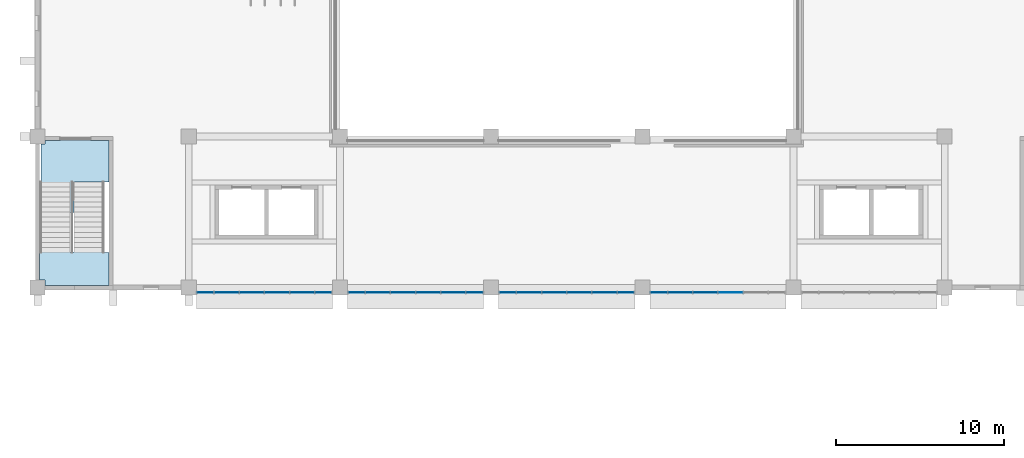
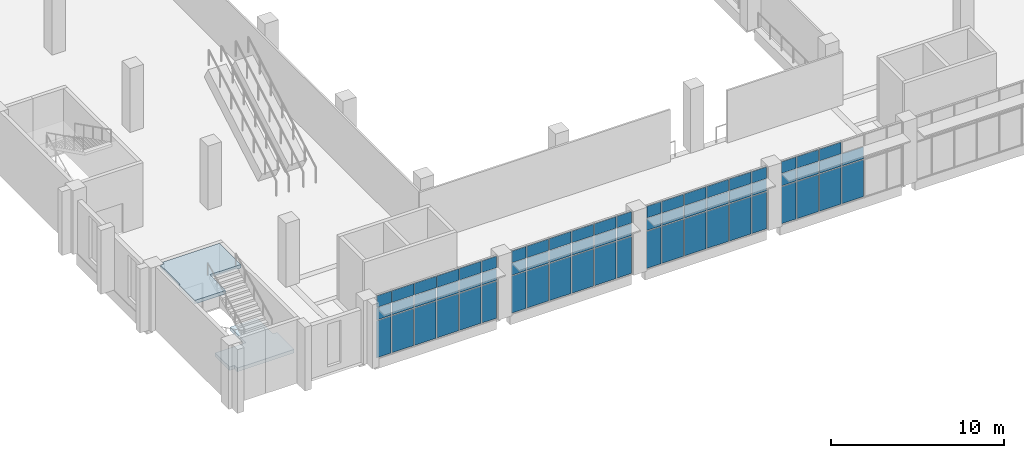
# One storey, part 39 of 88: 65 plates, 2 slabs, 5 elements without a shape of their own.
"""IFC4 building model written with IfcOpenShell, lengths in metres."""

from ifc_helpers import new_model, si_unit, direction, frame, origin, origin_2d, place, context, subcontext, project, spatial, polyline, rectangle, outline, extrude, material, layer, layer_set, type_object, element, aggregate, save


model = new_model("IFC4")

# Units and contexts
model_context = context("Model", 3, precision=1e-05, world=origin(), true_north=direction((0.0, 1.0)))
body_context = subcontext(model_context, "Body", "Model", "MODEL_VIEW")
ifc_project = project(units=[si_unit("LENGTHUNIT", "METRE"), si_unit("AREAUNIT", "SQUARE_METRE"), si_unit("VOLUMEUNIT", "CUBIC_METRE"), si_unit("PLANEANGLEUNIT", "RADIAN"), si_unit("MASSUNIT", "GRAM", prefix="KILO")], contexts=[model_context])

# Site, building, storey
site_placement = place(None, origin())
site = spatial("IfcSite", under=ifc_project, at=site_placement, CompositionType="ELEMENT")
building_placement = place(site_placement, origin())
building = spatial("IfcBuilding", under=site, at=building_placement, Name="Guidao Yard Department Store", CompositionType="ELEMENT")
storey_placement = place(building_placement, frame((0.0, 0.0, 6.0)))
storey = spatial("IfcBuildingStorey", under=building, at=storey_placement, Name="L01", CompositionType="ELEMENT", Elevation=6.0)

# Curtain wall, plates
ifc_material_1 = material(Name="Aluminium and glass", Category="aluminium")
ifc_layer_1 = layer(ifc_material_1, 0.159912109375)
ifc_layer_set_1 = layer_set([ifc_layer_1], Name="Hall front curtain wall CW2 1500 module")
curtain_wall_type = type_object("IfcCurtainWallType", Name="Hall front curtain wall CW2 1500 module", PredefinedType="NOTDEFINED", material=ifc_layer_set_1)
curtain_wall_1_placement = place(storey_placement, origin())
curtain_wall_1 = element("IfcCurtainWall", 1, at=curtain_wall_1_placement, inside=storey, type_object=curtain_wall_type, Name="Hall front curtain wall", PredefinedType="NOTDEFINED")
ifc_material_2 = material(Name="Aluminium 6063-T5 faced insulated spandrel", Category="aluminium")
ifc_layer_2 = layer(ifc_material_2, 0.06005859375)
ifc_layer_set_2 = layer_set([ifc_layer_2], Name="Spandrel panel SP1 insulated opaque")
plate_type_1 = type_object("IfcPlateType", Name="Spandrel panel SP1 insulated opaque", PredefinedType="CURTAIN_PANEL", material=ifc_layer_set_2)
plate_1_placement = place(storey_placement, frame((9.989990234375, 44.719970703125, 3.6298828125), z_axis=(0.0, 0.0, 1.0), x_axis=(-1.0, 0.0, 0.0)))
plate_1 = element("IfcPlate", 2, at=plate_1_placement, type_object=plate_type_1, Name="CW-HF-L01-01 panel 1.3", PredefinedType="CURTAIN_PANEL", context=body_context, shape_type="SweptSolid", body=[
    extrude(rectangle(XDim=0.9599609375, YDim=0.06005859375, at=origin_2d()), origin(), (0.0, 0.0, 1.0), 0.81005859375),
])
plate_2_placement = place(storey_placement, frame((11.25, 44.719970703125, 3.6298828125), z_axis=(0.0, 0.0, 1.0), x_axis=(-1.0, 0.0, 0.0)))
plate_2 = element("IfcPlate", 3, at=plate_2_placement, type_object=plate_type_1, Name="CW-HF-L01-01 panel 2.3", PredefinedType="CURTAIN_PANEL", context=body_context, shape_type="SweptSolid", body=[
    extrude(rectangle(XDim=1.43994140625, YDim=0.06005859375, at=origin_2d()), origin(), (0.0, 0.0, 1.0), 0.81005859375),
])
plate_3_placement = place(storey_placement, frame((12.75, 44.719970703125, 3.6298828125), z_axis=(0.0, 0.0, 1.0), x_axis=(-1.0, 0.0, 0.0)))
plate_3 = element("IfcPlate", 4, at=plate_3_placement, type_object=plate_type_1, Name="CW-HF-L01-01 panel 3.3", PredefinedType="CURTAIN_PANEL", context=body_context, shape_type="SweptSolid", body=[
    extrude(rectangle(XDim=1.43994140625, YDim=0.06005859375, at=origin_2d()), origin(), (0.0, 0.0, 1.0), 0.81005859375),
])
plate_4_placement = place(storey_placement, frame((14.25, 44.719970703125, 3.6298828125), z_axis=(0.0, 0.0, 1.0), x_axis=(-1.0, 0.0, 0.0)))
plate_4 = element("IfcPlate", 5, at=plate_4_placement, type_object=plate_type_1, Name="CW-HF-L01-01 panel 4.3", PredefinedType="CURTAIN_PANEL", context=body_context, shape_type="SweptSolid", body=[
    extrude(rectangle(XDim=1.43994140625, YDim=0.06005859375, at=origin_2d()), origin(), (0.0, 0.0, 1.0), 0.81005859375),
])
plate_5_placement = place(storey_placement, frame((15.75, 44.719970703125, 3.6298828125), z_axis=(0.0, 0.0, 1.0), x_axis=(-1.0, 0.0, 0.0)))
plate_5 = element("IfcPlate", 6, at=plate_5_placement, type_object=plate_type_1, Name="CW-HF-L01-01 panel 5.3", PredefinedType="CURTAIN_PANEL", context=body_context, shape_type="SweptSolid", body=[
    extrude(rectangle(XDim=1.43994140625, YDim=0.06005859375, at=origin_2d()), origin(), (0.0, 0.0, 1.0), 0.81005859375),
])
plate_6_placement = place(storey_placement, frame((17.010009765625, 44.719970703125, 3.6298828125), z_axis=(0.0, 0.0, 1.0), x_axis=(-1.0, 0.0, 0.0)))
plate_6 = element("IfcPlate", 7, at=plate_6_placement, type_object=plate_type_1, Name="CW-HF-L01-01 panel 6.3", PredefinedType="CURTAIN_PANEL", context=body_context, shape_type="SweptSolid", body=[
    extrude(rectangle(XDim=0.9599609375, YDim=0.06005859375, at=origin_2d()), origin(), (0.0, 0.0, 1.0), 0.81005859375),
])

curtain_wall_2_placement = place(storey_placement, origin())
curtain_wall_2 = element("IfcCurtainWall", 8, at=curtain_wall_2_placement, inside=storey, type_object=curtain_wall_type, Name="Hall front curtain wall", PredefinedType="NOTDEFINED")
plate_7_placement = place(storey_placement, frame((18.989990234375, 44.719970703125, 3.6298828125), z_axis=(0.0, 0.0, 1.0), x_axis=(-1.0, 0.0, 0.0)))
plate_7 = element("IfcPlate", 9, at=plate_7_placement, type_object=plate_type_1, Name="CW-HF-L01-02 panel 1.3", PredefinedType="CURTAIN_PANEL", context=body_context, shape_type="SweptSolid", body=[
    extrude(rectangle(XDim=0.9599609375, YDim=0.06005859375, at=origin_2d()), origin(), (0.0, 0.0, 1.0), 0.81005859375),
])
plate_8_placement = place(storey_placement, frame((20.25, 44.719970703125, 3.6298828125), z_axis=(0.0, 0.0, 1.0), x_axis=(-1.0, 0.0, 0.0)))
plate_8 = element("IfcPlate", 10, at=plate_8_placement, type_object=plate_type_1, Name="CW-HF-L01-02 panel 2.3", PredefinedType="CURTAIN_PANEL", context=body_context, shape_type="SweptSolid", body=[
    extrude(rectangle(XDim=1.43994140625, YDim=0.06005859375, at=origin_2d()), origin(), (0.0, 0.0, 1.0), 0.81005859375),
])
plate_9_placement = place(storey_placement, frame((21.75, 44.719970703125, 3.6298828125), z_axis=(0.0, 0.0, 1.0), x_axis=(-1.0, 0.0, 0.0)))
plate_9 = element("IfcPlate", 11, at=plate_9_placement, type_object=plate_type_1, Name="CW-HF-L01-02 panel 3.3", PredefinedType="CURTAIN_PANEL", context=body_context, shape_type="SweptSolid", body=[
    extrude(rectangle(XDim=1.43994140625, YDim=0.06005859375, at=origin_2d()), origin(), (0.0, 0.0, 1.0), 0.81005859375),
])
plate_10_placement = place(storey_placement, frame((23.25, 44.719970703125, 3.6298828125), z_axis=(0.0, 0.0, 1.0), x_axis=(-1.0, 0.0, 0.0)))
plate_10 = element("IfcPlate", 12, at=plate_10_placement, type_object=plate_type_1, Name="CW-HF-L01-02 panel 4.3", PredefinedType="CURTAIN_PANEL", context=body_context, shape_type="SweptSolid", body=[
    extrude(rectangle(XDim=1.43994140625, YDim=0.06005859375, at=origin_2d()), origin(), (0.0, 0.0, 1.0), 0.81005859375),
])
plate_11_placement = place(storey_placement, frame((24.75, 44.719970703125, 3.6298828125), z_axis=(0.0, 0.0, 1.0), x_axis=(-1.0, 0.0, 0.0)))
plate_11 = element("IfcPlate", 13, at=plate_11_placement, type_object=plate_type_1, Name="CW-HF-L01-02 panel 5.3", PredefinedType="CURTAIN_PANEL", context=body_context, shape_type="SweptSolid", body=[
    extrude(rectangle(XDim=1.43994140625, YDim=0.06005859375, at=origin_2d()), origin(), (0.0, 0.0, 1.0), 0.81005859375),
])
plate_12_placement = place(storey_placement, frame((26.010009765625, 44.719970703125, 3.6298828125), z_axis=(0.0, 0.0, 1.0), x_axis=(-1.0, 0.0, 0.0)))
plate_12 = element("IfcPlate", 14, at=plate_12_placement, type_object=plate_type_1, Name="CW-HF-L01-02 panel 6.3", PredefinedType="CURTAIN_PANEL", context=body_context, shape_type="SweptSolid", body=[
    extrude(rectangle(XDim=0.9599609375, YDim=0.06005859375, at=origin_2d()), origin(), (0.0, 0.0, 1.0), 0.81005859375),
])

curtain_wall_3_placement = place(storey_placement, origin())
curtain_wall_3 = element("IfcCurtainWall", 15, at=curtain_wall_3_placement, inside=storey, type_object=curtain_wall_type, Name="Hall front curtain wall", PredefinedType="NOTDEFINED")
plate_13_placement = place(storey_placement, frame((27.989990234375, 44.719970703125, 3.6298828125), z_axis=(0.0, 0.0, 1.0), x_axis=(-1.0, 0.0, 0.0)))
plate_13 = element("IfcPlate", 16, at=plate_13_placement, type_object=plate_type_1, Name="CW-HF-L01-03 panel 1.3", PredefinedType="CURTAIN_PANEL", context=body_context, shape_type="SweptSolid", body=[
    extrude(rectangle(XDim=0.9599609375, YDim=0.06005859375, at=origin_2d()), origin(), (0.0, 0.0, 1.0), 0.81005859375),
])
plate_14_placement = place(storey_placement, frame((29.25, 44.719970703125, 3.6298828125), z_axis=(0.0, 0.0, 1.0), x_axis=(-1.0, 0.0, 0.0)))
plate_14 = element("IfcPlate", 17, at=plate_14_placement, type_object=plate_type_1, Name="CW-HF-L01-03 panel 2.3", PredefinedType="CURTAIN_PANEL", context=body_context, shape_type="SweptSolid", body=[
    extrude(rectangle(XDim=1.43994140625, YDim=0.06005859375, at=origin_2d()), origin(), (0.0, 0.0, 1.0), 0.81005859375),
])
plate_15_placement = place(storey_placement, frame((30.75, 44.719970703125, 3.6298828125), z_axis=(0.0, 0.0, 1.0), x_axis=(-1.0, 0.0, 0.0)))
plate_15 = element("IfcPlate", 18, at=plate_15_placement, type_object=plate_type_1, Name="CW-HF-L01-03 panel 3.3", PredefinedType="CURTAIN_PANEL", context=body_context, shape_type="SweptSolid", body=[
    extrude(rectangle(XDim=1.43994140625, YDim=0.06005859375, at=origin_2d()), origin(), (0.0, 0.0, 1.0), 0.81005859375),
])
plate_16_placement = place(storey_placement, frame((32.25, 44.719970703125, 3.6298828125), z_axis=(0.0, 0.0, 1.0), x_axis=(-1.0, 0.0, 0.0)))
plate_16 = element("IfcPlate", 19, at=plate_16_placement, type_object=plate_type_1, Name="CW-HF-L01-03 panel 4.3", PredefinedType="CURTAIN_PANEL", context=body_context, shape_type="SweptSolid", body=[
    extrude(rectangle(XDim=1.43994140625, YDim=0.06005859375, at=origin_2d()), origin(), (0.0, 0.0, 1.0), 0.81005859375),
])
plate_17_placement = place(storey_placement, frame((33.75, 44.719970703125, 3.6298828125), z_axis=(0.0, 0.0, 1.0), x_axis=(-1.0, 0.0, 0.0)))
plate_17 = element("IfcPlate", 20, at=plate_17_placement, type_object=plate_type_1, Name="CW-HF-L01-03 panel 5.3", PredefinedType="CURTAIN_PANEL", context=body_context, shape_type="SweptSolid", body=[
    extrude(rectangle(XDim=1.43994140625, YDim=0.06005859375, at=origin_2d()), origin(), (0.0, 0.0, 1.0), 0.81005859375),
])
plate_18_placement = place(storey_placement, frame((35.010009765625, 44.719970703125, 3.6298828125), z_axis=(0.0, 0.0, 1.0), x_axis=(-1.0, 0.0, 0.0)))
plate_18 = element("IfcPlate", 21, at=plate_18_placement, type_object=plate_type_1, Name="CW-HF-L01-03 panel 6.3", PredefinedType="CURTAIN_PANEL", context=body_context, shape_type="SweptSolid", body=[
    extrude(rectangle(XDim=0.9599609375, YDim=0.06005859375, at=origin_2d()), origin(), (0.0, 0.0, 1.0), 0.81005859375),
])

curtain_wall_4_placement = place(storey_placement, origin())
curtain_wall_4 = element("IfcCurtainWall", 22, at=curtain_wall_4_placement, inside=storey, type_object=curtain_wall_type, Name="Hall front curtain wall", PredefinedType="NOTDEFINED")
plate_19_placement = place(storey_placement, frame((36.989990234375, 44.719970703125, 3.6298828125), z_axis=(0.0, 0.0, 1.0), x_axis=(-1.0, 0.0, 0.0)))
plate_19 = element("IfcPlate", 23, at=plate_19_placement, type_object=plate_type_1, Name="CW-HF-L01-04 panel 1.3", PredefinedType="CURTAIN_PANEL", context=body_context, shape_type="SweptSolid", body=[
    extrude(rectangle(XDim=0.9599609375, YDim=0.06005859375, at=origin_2d()), origin(), (0.0, 0.0, 1.0), 0.81005859375),
])
plate_20_placement = place(storey_placement, frame((38.25, 44.719970703125, 3.6298828125), z_axis=(0.0, 0.0, 1.0), x_axis=(-1.0, 0.0, 0.0)))
plate_20 = element("IfcPlate", 24, at=plate_20_placement, type_object=plate_type_1, Name="CW-HF-L01-04 panel 2.3", PredefinedType="CURTAIN_PANEL", context=body_context, shape_type="SweptSolid", body=[
    extrude(rectangle(XDim=1.43994140625, YDim=0.06005859375, at=origin_2d()), origin(), (0.0, 0.0, 1.0), 0.81005859375),
])
plate_21_placement = place(storey_placement, frame((39.75, 44.719970703125, 3.6298828125), z_axis=(0.0, 0.0, 1.0), x_axis=(-1.0, 0.0, 0.0)))
plate_21 = element("IfcPlate", 25, at=plate_21_placement, type_object=plate_type_1, Name="CW-HF-L01-04 panel 3.3", PredefinedType="CURTAIN_PANEL", context=body_context, shape_type="SweptSolid", body=[
    extrude(rectangle(XDim=1.43994140625, YDim=0.06005859375, at=origin_2d()), origin(), (0.0, 0.0, 1.0), 0.81005859375),
])

# Stair, slabs
ifc_material_3 = material(Name="Concrete C35", Category="concrete")
stair_type = type_object("IfcStairType", Name="Stair half-turn two-flight 1800 wide 4.5 m rise", PredefinedType="HALF_TURN_STAIR", material=ifc_material_3)
stair_placement = place(storey_placement, origin())
stair = element("IfcStair", 26, at=stair_placement, inside=storey, type_object=stair_type, Name="Stair A8 L01 to L02", PredefinedType="HALF_TURN_STAIR")
ifc_material_4 = material(Name="Concrete C35", Category="concrete")
ifc_layer_3 = layer(ifc_material_4, 0.25)
ifc_layer_set_3 = layer_set([ifc_layer_3], Name="Stair landing RC 250 C35")
slab_type = type_object("IfcSlabType", Name="Stair landing RC 250 C35", PredefinedType="LANDING", material=ifc_layer_set_3)
slab_1_placement = place(storey_placement, frame((0.0, 0.0, 2.0)))
slab_1 = element("IfcSlab", 27, at=slab_1_placement, type_object=slab_type, Name="SA8-L01 landing 1", PredefinedType="LANDING", context=body_context, shape_type="SweptSolid", body=[
    extrude(outline(polyline([(0.449951171875, 45.125), (0.449951171875, 45.449951171875), (0.125, 45.449951171875), (0.125, 47.10009765625), (0.125, 47.110107421875), (2.175048828125, 47.110107421875), (2.175048828125, 48.929931640625), (3.97509765625, 48.929931640625), (3.97509765625, 47.10009765625), (4.25, 47.10009765625), (4.25, 45.125), (0.449951171875, 45.125)])), origin(), (0.0, 0.0, 1.0), 0.25),
])
slab_2_placement = place(storey_placement, frame((0.0, 0.0, 4.25)))
slab_2 = element("IfcSlab", 28, at=slab_2_placement, type_object=slab_type, Name="SA8-L01 landing 2", PredefinedType="LANDING", context=body_context, shape_type="SweptSolid", body=[
    extrude(outline(polyline([(0.125, 51.300048828125), (0.199951171875, 51.300048828125), (0.199951171875, 53.550048828125), (0.449951171875, 53.550048828125), (0.449951171875, 53.75), (2.175048828125, 53.75), (4.25, 53.75), (4.25, 51.2900390625), (2.175048828125, 51.2900390625), (2.175048828125, 49.469970703125), (0.125, 49.469970703125), (0.125, 51.300048828125)])), origin(), (0.0, 0.0, 1.0), 0.25),
])
aggregate(stair, [slab_1, slab_2])

# Plate
ifc_material_5 = material(Name="Laminated heat-soaked tempered glass", Category="glass")
ifc_layer_4 = layer(ifc_material_5, 0.017578125)
ifc_layer_set_4 = layer_set([ifc_layer_4], Name="Vision glass VG1 laminated heat-soaked tempered 8+8")
plate_type_2 = type_object("IfcPlateType", Name="Vision glass VG1 laminated heat-soaked tempered 8+8", PredefinedType="CURTAIN_PANEL", material=ifc_layer_set_4)
plate_22_placement = place(storey_placement, frame((9.989990234375, 44.719970703125, 0.06005859375), z_axis=(0.0, 0.0, 1.0), x_axis=(-1.0, 0.0, 0.0)))
plate_22 = element("IfcPlate", 29, at=plate_22_placement, type_object=plate_type_2, Name="CW-HF-L01-01 panel 1.1", PredefinedType="CURTAIN_PANEL", context=body_context, shape_type="SweptSolid", body=[
    extrude(rectangle(XDim=0.9599609375, YDim=0.017578125, at=origin_2d()), origin(), (0.0, 0.0, 1.0), 2.610107421875),
])

plate_23_placement = place(storey_placement, frame((9.989990234375, 44.719970703125, 2.72998046875), z_axis=(0.0, 0.0, 1.0), x_axis=(-1.0, 0.0, 0.0)))
plate_23 = element("IfcPlate", 30, at=plate_23_placement, type_object=plate_type_2, Name="CW-HF-L01-01 panel 1.2", PredefinedType="CURTAIN_PANEL", context=body_context, shape_type="SweptSolid", body=[
    extrude(rectangle(XDim=0.9599609375, YDim=0.017578125, at=origin_2d()), origin(), (0.0, 0.0, 1.0), 0.840087890625),
])

plate_24_placement = place(storey_placement, frame((11.25, 44.719970703125, 0.06005859375), z_axis=(0.0, 0.0, 1.0), x_axis=(-1.0, 0.0, 0.0)))
plate_24 = element("IfcPlate", 31, at=plate_24_placement, type_object=plate_type_2, Name="CW-HF-L01-01 panel 2.1", PredefinedType="CURTAIN_PANEL", context=body_context, shape_type="SweptSolid", body=[
    extrude(rectangle(XDim=1.43994140625, YDim=0.017578125, at=origin_2d()), origin(), (0.0, 0.0, 1.0), 2.610107421875),
])

plate_25_placement = place(storey_placement, frame((11.25, 44.719970703125, 2.72998046875), z_axis=(0.0, 0.0, 1.0), x_axis=(-1.0, 0.0, 0.0)))
plate_25 = element("IfcPlate", 32, at=plate_25_placement, type_object=plate_type_2, Name="CW-HF-L01-01 panel 2.2", PredefinedType="CURTAIN_PANEL", context=body_context, shape_type="SweptSolid", body=[
    extrude(rectangle(XDim=1.43994140625, YDim=0.017578125, at=origin_2d()), origin(), (0.0, 0.0, 1.0), 0.840087890625),
])

plate_26_placement = place(storey_placement, frame((12.75, 44.719970703125, 0.06005859375), z_axis=(0.0, 0.0, 1.0), x_axis=(-1.0, 0.0, 0.0)))
plate_26 = element("IfcPlate", 33, at=plate_26_placement, type_object=plate_type_2, Name="CW-HF-L01-01 panel 3.1", PredefinedType="CURTAIN_PANEL", context=body_context, shape_type="SweptSolid", body=[
    extrude(rectangle(XDim=1.43994140625, YDim=0.017578125, at=origin_2d()), origin(), (0.0, 0.0, 1.0), 2.610107421875),
])

plate_27_placement = place(storey_placement, frame((12.75, 44.719970703125, 2.72998046875), z_axis=(0.0, 0.0, 1.0), x_axis=(-1.0, 0.0, 0.0)))
plate_27 = element("IfcPlate", 34, at=plate_27_placement, type_object=plate_type_2, Name="CW-HF-L01-01 panel 3.2", PredefinedType="CURTAIN_PANEL", context=body_context, shape_type="SweptSolid", body=[
    extrude(rectangle(XDim=1.43994140625, YDim=0.017578125, at=origin_2d()), origin(), (0.0, 0.0, 1.0), 0.840087890625),
])

plate_28_placement = place(storey_placement, frame((14.25, 44.719970703125, 0.06005859375), z_axis=(0.0, 0.0, 1.0), x_axis=(-1.0, 0.0, 0.0)))
plate_28 = element("IfcPlate", 35, at=plate_28_placement, type_object=plate_type_2, Name="CW-HF-L01-01 panel 4.1", PredefinedType="CURTAIN_PANEL", context=body_context, shape_type="SweptSolid", body=[
    extrude(rectangle(XDim=1.43994140625, YDim=0.017578125, at=origin_2d()), origin(), (0.0, 0.0, 1.0), 2.610107421875),
])

plate_29_placement = place(storey_placement, frame((14.25, 44.719970703125, 2.72998046875), z_axis=(0.0, 0.0, 1.0), x_axis=(-1.0, 0.0, 0.0)))
plate_29 = element("IfcPlate", 36, at=plate_29_placement, type_object=plate_type_2, Name="CW-HF-L01-01 panel 4.2", PredefinedType="CURTAIN_PANEL", context=body_context, shape_type="SweptSolid", body=[
    extrude(rectangle(XDim=1.43994140625, YDim=0.017578125, at=origin_2d()), origin(), (0.0, 0.0, 1.0), 0.840087890625),
])

plate_30_placement = place(storey_placement, frame((15.75, 44.719970703125, 0.06005859375), z_axis=(0.0, 0.0, 1.0), x_axis=(-1.0, 0.0, 0.0)))
plate_30 = element("IfcPlate", 37, at=plate_30_placement, type_object=plate_type_2, Name="CW-HF-L01-01 panel 5.1", PredefinedType="CURTAIN_PANEL", context=body_context, shape_type="SweptSolid", body=[
    extrude(rectangle(XDim=1.43994140625, YDim=0.017578125, at=origin_2d()), origin(), (0.0, 0.0, 1.0), 2.610107421875),
])

plate_31_placement = place(storey_placement, frame((15.75, 44.719970703125, 2.72998046875), z_axis=(0.0, 0.0, 1.0), x_axis=(-1.0, 0.0, 0.0)))
plate_31 = element("IfcPlate", 38, at=plate_31_placement, type_object=plate_type_2, Name="CW-HF-L01-01 panel 5.2", PredefinedType="CURTAIN_PANEL", context=body_context, shape_type="SweptSolid", body=[
    extrude(rectangle(XDim=1.43994140625, YDim=0.017578125, at=origin_2d()), origin(), (0.0, 0.0, 1.0), 0.840087890625),
])

plate_32_placement = place(storey_placement, frame((17.010009765625, 44.719970703125, 0.06005859375), z_axis=(0.0, 0.0, 1.0), x_axis=(-1.0, 0.0, 0.0)))
plate_32 = element("IfcPlate", 39, at=plate_32_placement, type_object=plate_type_2, Name="CW-HF-L01-01 panel 6.1", PredefinedType="CURTAIN_PANEL", context=body_context, shape_type="SweptSolid", body=[
    extrude(rectangle(XDim=0.9599609375, YDim=0.017578125, at=origin_2d()), origin(), (0.0, 0.0, 1.0), 2.610107421875),
])

plate_33_placement = place(storey_placement, frame((17.010009765625, 44.719970703125, 2.72998046875), z_axis=(0.0, 0.0, 1.0), x_axis=(-1.0, 0.0, 0.0)))
plate_33 = element("IfcPlate", 40, at=plate_33_placement, type_object=plate_type_2, Name="CW-HF-L01-01 panel 6.2", PredefinedType="CURTAIN_PANEL", context=body_context, shape_type="SweptSolid", body=[
    extrude(rectangle(XDim=0.9599609375, YDim=0.017578125, at=origin_2d()), origin(), (0.0, 0.0, 1.0), 0.840087890625),
])

aggregate(curtain_wall_1, [plate_22, plate_23, plate_1, plate_24, plate_25, plate_2, plate_26, plate_27, plate_3, plate_28, plate_29, plate_4, plate_30, plate_31, plate_5, plate_32, plate_33, plate_6])

plate_34_placement = place(storey_placement, frame((18.989990234375, 44.719970703125, 0.06005859375), z_axis=(0.0, 0.0, 1.0), x_axis=(-1.0, 0.0, 0.0)))
plate_34 = element("IfcPlate", 41, at=plate_34_placement, type_object=plate_type_2, Name="CW-HF-L01-02 panel 1.1", PredefinedType="CURTAIN_PANEL", context=body_context, shape_type="SweptSolid", body=[
    extrude(rectangle(XDim=0.9599609375, YDim=0.017578125, at=origin_2d()), origin(), (0.0, 0.0, 1.0), 2.610107421875),
])

plate_35_placement = place(storey_placement, frame((18.989990234375, 44.719970703125, 2.72998046875), z_axis=(0.0, 0.0, 1.0), x_axis=(-1.0, 0.0, 0.0)))
plate_35 = element("IfcPlate", 42, at=plate_35_placement, type_object=plate_type_2, Name="CW-HF-L01-02 panel 1.2", PredefinedType="CURTAIN_PANEL", context=body_context, shape_type="SweptSolid", body=[
    extrude(rectangle(XDim=0.9599609375, YDim=0.017578125, at=origin_2d()), origin(), (0.0, 0.0, 1.0), 0.840087890625),
])

plate_36_placement = place(storey_placement, frame((20.25, 44.719970703125, 0.06005859375), z_axis=(0.0, 0.0, 1.0), x_axis=(-1.0, 0.0, 0.0)))
plate_36 = element("IfcPlate", 43, at=plate_36_placement, type_object=plate_type_2, Name="CW-HF-L01-02 panel 2.1", PredefinedType="CURTAIN_PANEL", context=body_context, shape_type="SweptSolid", body=[
    extrude(rectangle(XDim=1.43994140625, YDim=0.017578125, at=origin_2d()), origin(), (0.0, 0.0, 1.0), 2.610107421875),
])

plate_37_placement = place(storey_placement, frame((20.25, 44.719970703125, 2.72998046875), z_axis=(0.0, 0.0, 1.0), x_axis=(-1.0, 0.0, 0.0)))
plate_37 = element("IfcPlate", 44, at=plate_37_placement, type_object=plate_type_2, Name="CW-HF-L01-02 panel 2.2", PredefinedType="CURTAIN_PANEL", context=body_context, shape_type="SweptSolid", body=[
    extrude(rectangle(XDim=1.43994140625, YDim=0.017578125, at=origin_2d()), origin(), (0.0, 0.0, 1.0), 0.840087890625),
])

plate_38_placement = place(storey_placement, frame((21.75, 44.719970703125, 0.06005859375), z_axis=(0.0, 0.0, 1.0), x_axis=(-1.0, 0.0, 0.0)))
plate_38 = element("IfcPlate", 45, at=plate_38_placement, type_object=plate_type_2, Name="CW-HF-L01-02 panel 3.1", PredefinedType="CURTAIN_PANEL", context=body_context, shape_type="SweptSolid", body=[
    extrude(rectangle(XDim=1.43994140625, YDim=0.017578125, at=origin_2d()), origin(), (0.0, 0.0, 1.0), 2.610107421875),
])

plate_39_placement = place(storey_placement, frame((21.75, 44.719970703125, 2.72998046875), z_axis=(0.0, 0.0, 1.0), x_axis=(-1.0, 0.0, 0.0)))
plate_39 = element("IfcPlate", 46, at=plate_39_placement, type_object=plate_type_2, Name="CW-HF-L01-02 panel 3.2", PredefinedType="CURTAIN_PANEL", context=body_context, shape_type="SweptSolid", body=[
    extrude(rectangle(XDim=1.43994140625, YDim=0.017578125, at=origin_2d()), origin(), (0.0, 0.0, 1.0), 0.840087890625),
])

plate_40_placement = place(storey_placement, frame((23.25, 44.719970703125, 0.06005859375), z_axis=(0.0, 0.0, 1.0), x_axis=(-1.0, 0.0, 0.0)))
plate_40 = element("IfcPlate", 47, at=plate_40_placement, type_object=plate_type_2, Name="CW-HF-L01-02 panel 4.1", PredefinedType="CURTAIN_PANEL", context=body_context, shape_type="SweptSolid", body=[
    extrude(rectangle(XDim=1.43994140625, YDim=0.017578125, at=origin_2d()), origin(), (0.0, 0.0, 1.0), 2.610107421875),
])

plate_41_placement = place(storey_placement, frame((23.25, 44.719970703125, 2.72998046875), z_axis=(0.0, 0.0, 1.0), x_axis=(-1.0, 0.0, 0.0)))
plate_41 = element("IfcPlate", 48, at=plate_41_placement, type_object=plate_type_2, Name="CW-HF-L01-02 panel 4.2", PredefinedType="CURTAIN_PANEL", context=body_context, shape_type="SweptSolid", body=[
    extrude(rectangle(XDim=1.43994140625, YDim=0.017578125, at=origin_2d()), origin(), (0.0, 0.0, 1.0), 0.840087890625),
])

plate_42_placement = place(storey_placement, frame((24.75, 44.719970703125, 0.06005859375), z_axis=(0.0, 0.0, 1.0), x_axis=(-1.0, 0.0, 0.0)))
plate_42 = element("IfcPlate", 49, at=plate_42_placement, type_object=plate_type_2, Name="CW-HF-L01-02 panel 5.1", PredefinedType="CURTAIN_PANEL", context=body_context, shape_type="SweptSolid", body=[
    extrude(rectangle(XDim=1.43994140625, YDim=0.017578125, at=origin_2d()), origin(), (0.0, 0.0, 1.0), 2.610107421875),
])

plate_43_placement = place(storey_placement, frame((24.75, 44.719970703125, 2.72998046875), z_axis=(0.0, 0.0, 1.0), x_axis=(-1.0, 0.0, 0.0)))
plate_43 = element("IfcPlate", 50, at=plate_43_placement, type_object=plate_type_2, Name="CW-HF-L01-02 panel 5.2", PredefinedType="CURTAIN_PANEL", context=body_context, shape_type="SweptSolid", body=[
    extrude(rectangle(XDim=1.43994140625, YDim=0.017578125, at=origin_2d()), origin(), (0.0, 0.0, 1.0), 0.840087890625),
])

plate_44_placement = place(storey_placement, frame((26.010009765625, 44.719970703125, 0.06005859375), z_axis=(0.0, 0.0, 1.0), x_axis=(-1.0, 0.0, 0.0)))
plate_44 = element("IfcPlate", 51, at=plate_44_placement, type_object=plate_type_2, Name="CW-HF-L01-02 panel 6.1", PredefinedType="CURTAIN_PANEL", context=body_context, shape_type="SweptSolid", body=[
    extrude(rectangle(XDim=0.9599609375, YDim=0.017578125, at=origin_2d()), origin(), (0.0, 0.0, 1.0), 2.610107421875),
])

plate_45_placement = place(storey_placement, frame((26.010009765625, 44.719970703125, 2.72998046875), z_axis=(0.0, 0.0, 1.0), x_axis=(-1.0, 0.0, 0.0)))
plate_45 = element("IfcPlate", 52, at=plate_45_placement, type_object=plate_type_2, Name="CW-HF-L01-02 panel 6.2", PredefinedType="CURTAIN_PANEL", context=body_context, shape_type="SweptSolid", body=[
    extrude(rectangle(XDim=0.9599609375, YDim=0.017578125, at=origin_2d()), origin(), (0.0, 0.0, 1.0), 0.840087890625),
])

aggregate(curtain_wall_2, [plate_34, plate_35, plate_7, plate_36, plate_37, plate_8, plate_38, plate_39, plate_9, plate_40, plate_41, plate_10, plate_42, plate_43, plate_11, plate_44, plate_45, plate_12])

plate_46_placement = place(storey_placement, frame((27.989990234375, 44.719970703125, 0.06005859375), z_axis=(0.0, 0.0, 1.0), x_axis=(-1.0, 0.0, 0.0)))
plate_46 = element("IfcPlate", 53, at=plate_46_placement, type_object=plate_type_2, Name="CW-HF-L01-03 panel 1.1", PredefinedType="CURTAIN_PANEL", context=body_context, shape_type="SweptSolid", body=[
    extrude(rectangle(XDim=0.9599609375, YDim=0.017578125, at=origin_2d()), origin(), (0.0, 0.0, 1.0), 2.610107421875),
])

plate_47_placement = place(storey_placement, frame((27.989990234375, 44.719970703125, 2.72998046875), z_axis=(0.0, 0.0, 1.0), x_axis=(-1.0, 0.0, 0.0)))
plate_47 = element("IfcPlate", 54, at=plate_47_placement, type_object=plate_type_2, Name="CW-HF-L01-03 panel 1.2", PredefinedType="CURTAIN_PANEL", context=body_context, shape_type="SweptSolid", body=[
    extrude(rectangle(XDim=0.9599609375, YDim=0.017578125, at=origin_2d()), origin(), (0.0, 0.0, 1.0), 0.840087890625),
])

plate_48_placement = place(storey_placement, frame((29.25, 44.719970703125, 0.06005859375), z_axis=(0.0, 0.0, 1.0), x_axis=(-1.0, 0.0, 0.0)))
plate_48 = element("IfcPlate", 55, at=plate_48_placement, type_object=plate_type_2, Name="CW-HF-L01-03 panel 2.1", PredefinedType="CURTAIN_PANEL", context=body_context, shape_type="SweptSolid", body=[
    extrude(rectangle(XDim=1.43994140625, YDim=0.017578125, at=origin_2d()), origin(), (0.0, 0.0, 1.0), 2.610107421875),
])

plate_49_placement = place(storey_placement, frame((29.25, 44.719970703125, 2.72998046875), z_axis=(0.0, 0.0, 1.0), x_axis=(-1.0, 0.0, 0.0)))
plate_49 = element("IfcPlate", 56, at=plate_49_placement, type_object=plate_type_2, Name="CW-HF-L01-03 panel 2.2", PredefinedType="CURTAIN_PANEL", context=body_context, shape_type="SweptSolid", body=[
    extrude(rectangle(XDim=1.43994140625, YDim=0.017578125, at=origin_2d()), origin(), (0.0, 0.0, 1.0), 0.840087890625),
])

plate_50_placement = place(storey_placement, frame((30.75, 44.719970703125, 0.06005859375), z_axis=(0.0, 0.0, 1.0), x_axis=(-1.0, 0.0, 0.0)))
plate_50 = element("IfcPlate", 57, at=plate_50_placement, type_object=plate_type_2, Name="CW-HF-L01-03 panel 3.1", PredefinedType="CURTAIN_PANEL", context=body_context, shape_type="SweptSolid", body=[
    extrude(rectangle(XDim=1.43994140625, YDim=0.017578125, at=origin_2d()), origin(), (0.0, 0.0, 1.0), 2.610107421875),
])

plate_51_placement = place(storey_placement, frame((30.75, 44.719970703125, 2.72998046875), z_axis=(0.0, 0.0, 1.0), x_axis=(-1.0, 0.0, 0.0)))
plate_51 = element("IfcPlate", 58, at=plate_51_placement, type_object=plate_type_2, Name="CW-HF-L01-03 panel 3.2", PredefinedType="CURTAIN_PANEL", context=body_context, shape_type="SweptSolid", body=[
    extrude(rectangle(XDim=1.43994140625, YDim=0.017578125, at=origin_2d()), origin(), (0.0, 0.0, 1.0), 0.840087890625),
])

plate_52_placement = place(storey_placement, frame((32.25, 44.719970703125, 0.06005859375), z_axis=(0.0, 0.0, 1.0), x_axis=(-1.0, 0.0, 0.0)))
plate_52 = element("IfcPlate", 59, at=plate_52_placement, type_object=plate_type_2, Name="CW-HF-L01-03 panel 4.1", PredefinedType="CURTAIN_PANEL", context=body_context, shape_type="SweptSolid", body=[
    extrude(rectangle(XDim=1.43994140625, YDim=0.017578125, at=origin_2d()), origin(), (0.0, 0.0, 1.0), 2.610107421875),
])

plate_53_placement = place(storey_placement, frame((32.25, 44.719970703125, 2.72998046875), z_axis=(0.0, 0.0, 1.0), x_axis=(-1.0, 0.0, 0.0)))
plate_53 = element("IfcPlate", 60, at=plate_53_placement, type_object=plate_type_2, Name="CW-HF-L01-03 panel 4.2", PredefinedType="CURTAIN_PANEL", context=body_context, shape_type="SweptSolid", body=[
    extrude(rectangle(XDim=1.43994140625, YDim=0.017578125, at=origin_2d()), origin(), (0.0, 0.0, 1.0), 0.840087890625),
])

plate_54_placement = place(storey_placement, frame((33.75, 44.719970703125, 0.06005859375), z_axis=(0.0, 0.0, 1.0), x_axis=(-1.0, 0.0, 0.0)))
plate_54 = element("IfcPlate", 61, at=plate_54_placement, type_object=plate_type_2, Name="CW-HF-L01-03 panel 5.1", PredefinedType="CURTAIN_PANEL", context=body_context, shape_type="SweptSolid", body=[
    extrude(rectangle(XDim=1.43994140625, YDim=0.017578125, at=origin_2d()), origin(), (0.0, 0.0, 1.0), 2.610107421875),
])

plate_55_placement = place(storey_placement, frame((33.75, 44.719970703125, 2.72998046875), z_axis=(0.0, 0.0, 1.0), x_axis=(-1.0, 0.0, 0.0)))
plate_55 = element("IfcPlate", 62, at=plate_55_placement, type_object=plate_type_2, Name="CW-HF-L01-03 panel 5.2", PredefinedType="CURTAIN_PANEL", context=body_context, shape_type="SweptSolid", body=[
    extrude(rectangle(XDim=1.43994140625, YDim=0.017578125, at=origin_2d()), origin(), (0.0, 0.0, 1.0), 0.840087890625),
])

plate_56_placement = place(storey_placement, frame((35.010009765625, 44.719970703125, 0.06005859375), z_axis=(0.0, 0.0, 1.0), x_axis=(-1.0, 0.0, 0.0)))
plate_56 = element("IfcPlate", 63, at=plate_56_placement, type_object=plate_type_2, Name="CW-HF-L01-03 panel 6.1", PredefinedType="CURTAIN_PANEL", context=body_context, shape_type="SweptSolid", body=[
    extrude(rectangle(XDim=0.9599609375, YDim=0.017578125, at=origin_2d()), origin(), (0.0, 0.0, 1.0), 2.610107421875),
])

plate_57_placement = place(storey_placement, frame((35.010009765625, 44.719970703125, 2.72998046875), z_axis=(0.0, 0.0, 1.0), x_axis=(-1.0, 0.0, 0.0)))
plate_57 = element("IfcPlate", 64, at=plate_57_placement, type_object=plate_type_2, Name="CW-HF-L01-03 panel 6.2", PredefinedType="CURTAIN_PANEL", context=body_context, shape_type="SweptSolid", body=[
    extrude(rectangle(XDim=0.9599609375, YDim=0.017578125, at=origin_2d()), origin(), (0.0, 0.0, 1.0), 0.840087890625),
])

aggregate(curtain_wall_3, [plate_46, plate_47, plate_13, plate_48, plate_49, plate_14, plate_50, plate_51, plate_15, plate_52, plate_53, plate_16, plate_54, plate_55, plate_17, plate_56, plate_57, plate_18])

plate_58_placement = place(storey_placement, frame((36.989990234375, 44.719970703125, 0.06005859375), z_axis=(0.0, 0.0, 1.0), x_axis=(-1.0, 0.0, 0.0)))
plate_58 = element("IfcPlate", 65, at=plate_58_placement, type_object=plate_type_2, Name="CW-HF-L01-04 panel 1.1", PredefinedType="CURTAIN_PANEL", context=body_context, shape_type="SweptSolid", body=[
    extrude(rectangle(XDim=0.9599609375, YDim=0.017578125, at=origin_2d()), origin(), (0.0, 0.0, 1.0), 2.610107421875),
])

plate_59_placement = place(storey_placement, frame((36.989990234375, 44.719970703125, 2.72998046875), z_axis=(0.0, 0.0, 1.0), x_axis=(-1.0, 0.0, 0.0)))
plate_59 = element("IfcPlate", 66, at=plate_59_placement, type_object=plate_type_2, Name="CW-HF-L01-04 panel 1.2", PredefinedType="CURTAIN_PANEL", context=body_context, shape_type="SweptSolid", body=[
    extrude(rectangle(XDim=0.9599609375, YDim=0.017578125, at=origin_2d()), origin(), (0.0, 0.0, 1.0), 0.840087890625),
])

plate_60_placement = place(storey_placement, frame((38.25, 44.719970703125, 0.06005859375), z_axis=(0.0, 0.0, 1.0), x_axis=(-1.0, 0.0, 0.0)))
plate_60 = element("IfcPlate", 67, at=plate_60_placement, type_object=plate_type_2, Name="CW-HF-L01-04 panel 2.1", PredefinedType="CURTAIN_PANEL", context=body_context, shape_type="SweptSolid", body=[
    extrude(rectangle(XDim=1.43994140625, YDim=0.017578125, at=origin_2d()), origin(), (0.0, 0.0, 1.0), 2.610107421875),
])

plate_61_placement = place(storey_placement, frame((38.25, 44.719970703125, 2.72998046875), z_axis=(0.0, 0.0, 1.0), x_axis=(-1.0, 0.0, 0.0)))
plate_61 = element("IfcPlate", 68, at=plate_61_placement, type_object=plate_type_2, Name="CW-HF-L01-04 panel 2.2", PredefinedType="CURTAIN_PANEL", context=body_context, shape_type="SweptSolid", body=[
    extrude(rectangle(XDim=1.43994140625, YDim=0.017578125, at=origin_2d()), origin(), (0.0, 0.0, 1.0), 0.840087890625),
])

plate_62_placement = place(storey_placement, frame((39.75, 44.719970703125, 0.06005859375), z_axis=(0.0, 0.0, 1.0), x_axis=(-1.0, 0.0, 0.0)))
plate_62 = element("IfcPlate", 69, at=plate_62_placement, type_object=plate_type_2, Name="CW-HF-L01-04 panel 3.1", PredefinedType="CURTAIN_PANEL", context=body_context, shape_type="SweptSolid", body=[
    extrude(rectangle(XDim=1.43994140625, YDim=0.017578125, at=origin_2d()), origin(), (0.0, 0.0, 1.0), 2.610107421875),
])

plate_63_placement = place(storey_placement, frame((39.75, 44.719970703125, 2.72998046875), z_axis=(0.0, 0.0, 1.0), x_axis=(-1.0, 0.0, 0.0)))
plate_63 = element("IfcPlate", 70, at=plate_63_placement, type_object=plate_type_2, Name="CW-HF-L01-04 panel 3.2", PredefinedType="CURTAIN_PANEL", context=body_context, shape_type="SweptSolid", body=[
    extrude(rectangle(XDim=1.43994140625, YDim=0.017578125, at=origin_2d()), origin(), (0.0, 0.0, 1.0), 0.840087890625),
])

plate_64_placement = place(storey_placement, frame((41.25, 44.719970703125, 0.06005859375), z_axis=(0.0, 0.0, 1.0), x_axis=(-1.0, 0.0, 0.0)))
plate_64 = element("IfcPlate", 71, at=plate_64_placement, type_object=plate_type_2, Name="CW-HF-L01-04 panel 4.1", PredefinedType="CURTAIN_PANEL", context=body_context, shape_type="SweptSolid", body=[
    extrude(rectangle(XDim=1.43994140625, YDim=0.017578125, at=origin_2d()), origin(), (0.0, 0.0, 1.0), 2.610107421875),
])

plate_65_placement = place(storey_placement, frame((41.25, 44.719970703125, 2.72998046875), z_axis=(0.0, 0.0, 1.0), x_axis=(-1.0, 0.0, 0.0)))
plate_65 = element("IfcPlate", 72, at=plate_65_placement, type_object=plate_type_2, Name="CW-HF-L01-04 panel 4.2", PredefinedType="CURTAIN_PANEL", context=body_context, shape_type="SweptSolid", body=[
    extrude(rectangle(XDim=1.43994140625, YDim=0.017578125, at=origin_2d()), origin(), (0.0, 0.0, 1.0), 0.840087890625),
])

aggregate(curtain_wall_4, [plate_58, plate_59, plate_19, plate_60, plate_61, plate_20, plate_62, plate_63, plate_21, plate_64, plate_65])

save(model, "model.ifc")
